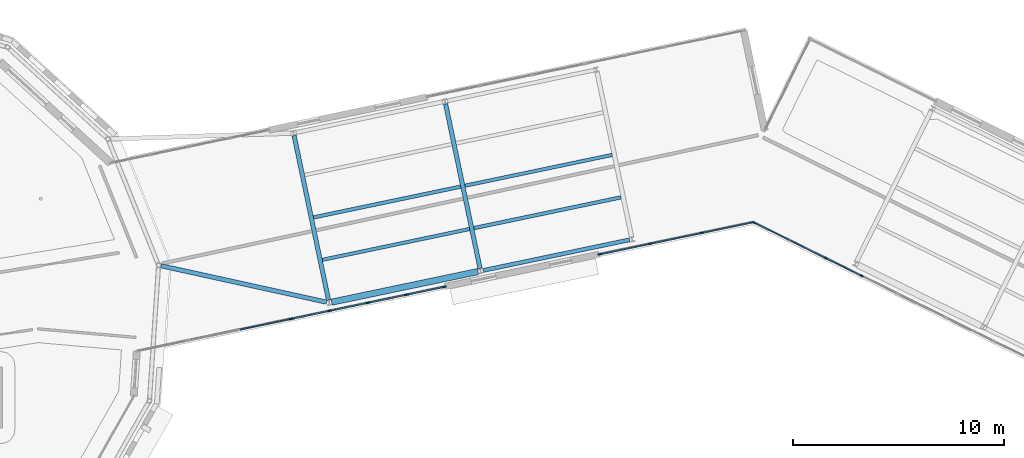
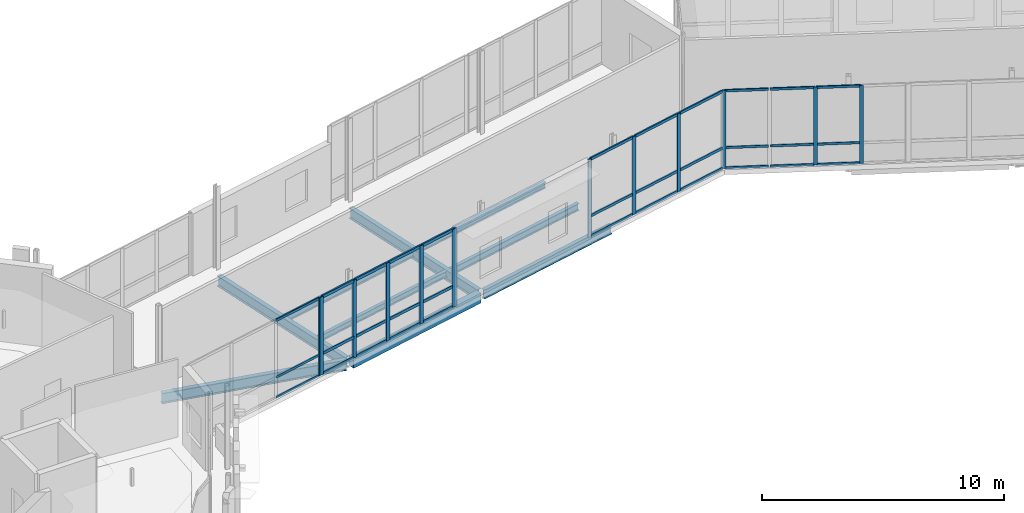
# One storey, part 51 of 125: 45 members, 9 beams, 4 elements without a shape of their own.
"""IFC4 building model written with IfcOpenShell, lengths in metres."""

from ifc_helpers import new_model, si_unit, direction, frame, origin, origin_2d, place, context, subcontext, project, spatial, rectangle, i_section, extrude, material, material_profile, profile_set, type_object, element, aggregate, save


model = new_model("IFC4")

# Units and contexts
model_context = context("Model", 3, precision=1e-05, world=origin(), true_north=direction((0.0, 1.0)))
body_context = subcontext(model_context, "Body", "Model", "MODEL_VIEW")
ifc_project = project(units=[si_unit("LENGTHUNIT", "METRE"), si_unit("AREAUNIT", "SQUARE_METRE"), si_unit("VOLUMEUNIT", "CUBIC_METRE"), si_unit("PLANEANGLEUNIT", "RADIAN"), si_unit("MASSUNIT", "GRAM", prefix="KILO")], contexts=[model_context])

# Site, building, storey
site_placement = place(None, origin())
site = spatial("IfcSite", under=ifc_project, at=site_placement, CompositionType="ELEMENT")
building_placement = place(site_placement, origin())
building = spatial("IfcBuilding", under=site, at=building_placement, Name="Wrenclough Park School", CompositionType="ELEMENT")
storey_placement = place(building_placement, frame((0.0, 0.0, 4.199951171875)))
storey = spatial("IfcBuildingStorey", under=building, at=storey_placement, Name="L01", CompositionType="ELEMENT", Elevation=4.199951171875)

# Curtain wall, members
ifc_material_1 = material(Name="Thermally broken aluminium and low-e glass curtain wall", Category="aluminium")
curtain_wall_type_1 = type_object("IfcCurtainWallType", Name="ENV-CW-03", PredefinedType="USERDEFINED", material=ifc_material_1)
curtain_wall_1_placement = place(storey_placement, origin())
curtain_wall_1 = element("IfcCurtainWall", 1, at=curtain_wall_1_placement, inside=storey, type_object=curtain_wall_type_1, Name="L01 recessed curtain wall assembly 162", ObjectType="CURTAIN WALL", PredefinedType="USERDEFINED")
ifc_material_2 = material(Name="Thermally broken anodised aluminium", Category="aluminium")
ifc_material_profile_1 = material_profile(ifc_material_2, rectangle(XDim=0.06005859375, YDim=0.159912109375, at=origin_2d()), Name="AL MULLION 60x160")
ifc_profile_set_1 = profile_set([ifc_material_profile_1], Name="Thermally broken anodised aluminium")
member_type_1 = type_object("IfcMemberType", Name="ENV-CWM-1", PredefinedType="MULLION", material=ifc_profile_set_1)
member_1_placement = place(storey_placement, frame((130.53515625, 110.25732421875, 0.0), z_axis=(0.0, 0.0, 1.0), x_axis=(-0.443514696909, -0.896267099488, 0.0)))
member_1 = element("IfcMember", 2, at=member_1_placement, type_object=member_type_1, Name="CW-03 mullion 2", PredefinedType="MULLION", context=body_context, shape_type="SweptSolid", body=[
    extrude(rectangle(XDim=0.06005859375, YDim=0.159912109375, at=origin_2d()), origin(), (0.0, 0.0, 1.0), 3.93994140625),
])
member_2_placement = place(storey_placement, frame((128.8251953125, 111.103515625, 0.0), z_axis=(0.0, 0.0, 1.0), x_axis=(-0.443514696909, -0.896267099488, 0.0)))
member_2 = element("IfcMember", 3, at=member_2_placement, type_object=member_type_1, Name="CW-03 mullion 3", PredefinedType="MULLION", context=body_context, shape_type="SweptSolid", body=[
    extrude(rectangle(XDim=0.06005859375, YDim=0.159912109375, at=origin_2d()), origin(), (0.0, 0.0, 1.0), 3.93994140625),
])
member_3_placement = place(storey_placement, frame((125.431884765625, 112.78271484375, 0.0), z_axis=(0.0, 0.0, 1.0), x_axis=(-0.443514696909, -0.896267099488, 0.0)))
member_3 = element("IfcMember", 4, at=member_3_placement, type_object=member_type_1, Name="CW-03 mullion 5", PredefinedType="MULLION", context=body_context, shape_type="SweptSolid", body=[
    extrude(rectangle(XDim=0.06005859375, YDim=0.159912109375, at=origin_2d()), origin(), (0.0, 0.0, 1.0), 3.93994140625),
])

# Curtain wall, member
curtain_wall_type_2 = type_object("IfcCurtainWallType", Name="ENV-CW-06", PredefinedType="USERDEFINED", material=ifc_material_1)
curtain_wall_2_placement = place(storey_placement, origin())
curtain_wall_2 = element("IfcCurtainWall", 5, at=curtain_wall_2_placement, inside=storey, type_object=curtain_wall_type_2, Name="L01 recessed curtain wall assembly 165", ObjectType="CURTAIN WALL", PredefinedType="USERDEFINED")
member_4_placement = place(storey_placement, frame((103.4990234375, 108.21337890625, 0.0), z_axis=(0.0, 0.0, 1.0), x_axis=(0.204873635602, -0.978788431396, 0.0)))
member_4 = element("IfcMember", 6, at=member_4_placement, type_object=member_type_1, Name="CW-06 mullion 1", PredefinedType="MULLION", context=body_context, shape_type="SweptSolid", body=[
    extrude(rectangle(XDim=0.06005859375, YDim=0.159912109375, at=origin_2d()), origin(), (0.0, 0.0, 1.0), 3.93994140625),
])

# Curtain wall, members
curtain_wall_type_3 = type_object("IfcCurtainWallType", Name="ENV-CW-04", PredefinedType="USERDEFINED", material=ifc_material_1)
curtain_wall_3_placement = place(storey_placement, origin())
curtain_wall_3 = element("IfcCurtainWall", 7, at=curtain_wall_3_placement, inside=storey, type_object=curtain_wall_type_3, Name="L01 recessed curtain wall assembly 163", ObjectType="CURTAIN WALL", PredefinedType="USERDEFINED")
ifc_material_profile_2 = material_profile(ifc_material_2, rectangle(XDim=0.06494140625, YDim=0.179931640625, at=origin_2d()), Name="AL MULLION 65x180")
ifc_profile_set_2 = profile_set([ifc_material_profile_2], Name="Thermally broken anodised aluminium")
member_type_2 = type_object("IfcMemberType", Name="ENV-CWM-2", PredefinedType="MULLION", material=ifc_profile_set_2)
member_5_placement = place(storey_placement, frame((122.97021484375, 112.288818359375, 0.0), z_axis=(0.0, 0.0, 1.0), x_axis=(0.204873635602, -0.978788431396, 0.0)))
member_5 = element("IfcMember", 8, at=member_5_placement, type_object=member_type_2, Name="CW-04 mullion 2", PredefinedType="MULLION", context=body_context, shape_type="SweptSolid", body=[
    extrude(rectangle(XDim=0.06494140625, YDim=0.179931640625, at=origin_2d()), origin(), (0.0, 0.0, 1.0), 3.93994140625),
])
member_6_placement = place(storey_placement, frame((120.54296875, 111.78076171875, 0.0), z_axis=(0.0, 0.0, 1.0), x_axis=(0.204873635602, -0.978788431396, 0.0)))
member_6 = element("IfcMember", 9, at=member_6_placement, type_object=member_type_2, Name="CW-04 mullion 3", PredefinedType="MULLION", context=body_context, shape_type="SweptSolid", body=[
    extrude(rectangle(XDim=0.06494140625, YDim=0.179931640625, at=origin_2d()), origin(), (0.0, 0.0, 1.0), 3.93994140625),
])
member_7_placement = place(storey_placement, frame((118.1474609375, 111.279296875, 0.0), z_axis=(0.0, 0.0, 1.0), x_axis=(0.204873635602, -0.978788431396, 0.0)))
member_7 = element("IfcMember", 10, at=member_7_placement, type_object=member_type_2, Name="CW-04 mullion 4", PredefinedType="MULLION", context=body_context, shape_type="SweptSolid", body=[
    extrude(rectangle(XDim=0.06494140625, YDim=0.179931640625, at=origin_2d()), origin(), (0.0, 0.0, 1.0), 3.93994140625),
])

curtain_wall_type_4 = type_object("IfcCurtainWallType", Name="ENV-CW-05", PredefinedType="USERDEFINED", material=ifc_material_1)
curtain_wall_4_placement = place(storey_placement, origin())
curtain_wall_4 = element("IfcCurtainWall", 11, at=curtain_wall_4_placement, inside=storey, type_object=curtain_wall_type_4, Name="L01 recessed curtain wall assembly 164", ObjectType="CURTAIN WALL", PredefinedType="USERDEFINED")
ifc_material_profile_3 = material_profile(ifc_material_2, rectangle(XDim=0.070068359375, YDim=0.199951171875, at=origin_2d()), Name="AL MULLION 70x200")
ifc_profile_set_3 = profile_set([ifc_material_profile_3], Name="Thermally broken anodised aluminium")
member_type_3 = type_object("IfcMemberType", Name="ENV-CWM-3", PredefinedType="MULLION", material=ifc_profile_set_3)
member_8_placement = place(storey_placement, frame((110.783935546875, 109.73828125, 0.0), z_axis=(0.0, 0.0, 1.0), x_axis=(0.204873635602, -0.978788431396, 0.0)))
member_8 = element("IfcMember", 12, at=member_8_placement, type_object=member_type_3, Name="CW-05 mullion 1", PredefinedType="MULLION", context=body_context, shape_type="SweptSolid", body=[
    extrude(rectangle(XDim=0.070068359375, YDim=0.199951171875, at=origin_2d()), origin(), (0.0, 0.0, 1.0), 3.93994140625),
])
member_9_placement = place(storey_placement, frame((108.99755859375, 109.3642578125, 0.0), z_axis=(0.0, 0.0, 1.0), x_axis=(0.204873635602, -0.978788431396, 0.0)))
member_9 = element("IfcMember", 13, at=member_9_placement, type_object=member_type_3, Name="CW-05 mullion 2", PredefinedType="MULLION", context=body_context, shape_type="SweptSolid", body=[
    extrude(rectangle(XDim=0.070068359375, YDim=0.199951171875, at=origin_2d()), origin(), (0.0, 0.0, 1.0), 3.93994140625),
])
member_10_placement = place(storey_placement, frame((107.17724609375, 108.9833984375, 0.0), z_axis=(0.0, 0.0, 1.0), x_axis=(0.204873635602, -0.978788431396, 0.0)))
member_10 = element("IfcMember", 14, at=member_10_placement, type_object=member_type_3, Name="CW-05 mullion 3", PredefinedType="MULLION", context=body_context, shape_type="SweptSolid", body=[
    extrude(rectangle(XDim=0.070068359375, YDim=0.199951171875, at=origin_2d()), origin(), (0.0, 0.0, 1.0), 3.93994140625),
])
member_11_placement = place(storey_placement, frame((105.356689453125, 108.602294921875, 0.0), z_axis=(0.0, 0.0, 1.0), x_axis=(0.204873635602, -0.978788431396, 0.0)))
member_11 = element("IfcMember", 15, at=member_11_placement, type_object=member_type_3, Name="CW-05 mullion 4", PredefinedType="MULLION", context=body_context, shape_type="SweptSolid", body=[
    extrude(rectangle(XDim=0.070068359375, YDim=0.199951171875, at=origin_2d()), origin(), (0.0, 0.0, 1.0), 3.93994140625),
])
member_12_placement = place(storey_placement, frame((103.570556640625, 108.228271484375, 0.0), z_axis=(0.0, 0.0, 1.0), x_axis=(0.204873635602, -0.978788431396, 0.0)))
member_12 = element("IfcMember", 16, at=member_12_placement, type_object=member_type_3, Name="CW-05 mullion 5", PredefinedType="MULLION", context=body_context, shape_type="SweptSolid", body=[
    extrude(rectangle(XDim=0.070068359375, YDim=0.199951171875, at=origin_2d()), origin(), (0.0, 0.0, 1.0), 3.93994140625),
])

# Member
ifc_material_profile_4 = material_profile(ifc_material_2, rectangle(XDim=0.06005859375, YDim=0.1201171875, at=origin_2d()), Name="AL TRANSOM 60x120")
ifc_profile_set_4 = profile_set([ifc_material_profile_4], Name="Thermally broken anodised aluminium")
member_type_4 = type_object("IfcMemberType", Name="ENV-CWT-1", PredefinedType="USERDEFINED", material=ifc_profile_set_4)
member_13_placement = place(storey_placement, frame((130.50830078125, 110.2705078125, 0.030029296875), z_axis=(-0.896269153284, 0.443510546517, 0.0), x_axis=(-0.443510546517, -0.896269153284, 0.0)))
member_13 = element("IfcMember", 17, at=member_13_placement, type_object=member_type_4, Name="CW-03 transom 2.1", ObjectType="TRANSOM", PredefinedType="USERDEFINED", context=body_context, shape_type="SweptSolid", body=[
    extrude(rectangle(XDim=0.06005859375, YDim=0.1201171875, at=origin_2d()), origin(), (0.0, 0.0, 1.0), 1.847900390625),
])

member_14_placement = place(storey_placement, frame((130.50830078125, 110.2705078125, 1.050048828125), z_axis=(-0.896269153284, 0.443510546517, 0.0), x_axis=(-0.443510546517, -0.896269153284, 0.0)))
member_14 = element("IfcMember", 18, at=member_14_placement, type_object=member_type_4, Name="CW-03 transom 2.2", ObjectType="TRANSOM", PredefinedType="USERDEFINED", context=body_context, shape_type="SweptSolid", body=[
    extrude(rectangle(XDim=0.06005859375, YDim=0.1201171875, at=origin_2d()), origin(), (0.0, 0.0, 1.0), 1.847900390625),
])

member_15_placement = place(storey_placement, frame((130.50830078125, 110.2705078125, 3.91015625), z_axis=(-0.896269153284, 0.443510546517, 0.0), x_axis=(-0.443510546517, -0.896269153284, 0.0)))
member_15 = element("IfcMember", 19, at=member_15_placement, type_object=member_type_4, Name="CW-03 transom 2.3", ObjectType="TRANSOM", PredefinedType="USERDEFINED", context=body_context, shape_type="SweptSolid", body=[
    extrude(rectangle(XDim=0.06005859375, YDim=0.1201171875, at=origin_2d()), origin(), (0.0, 0.0, 1.0), 1.847900390625),
])

member_16_placement = place(storey_placement, frame((128.79833984375, 111.11669921875, 0.030029296875), z_axis=(-0.896269153284, 0.443510546517, 0.0), x_axis=(-0.443510546517, -0.896269153284, 0.0)))
member_16 = element("IfcMember", 20, at=member_16_placement, type_object=member_type_4, Name="CW-03 transom 3.1", ObjectType="TRANSOM", PredefinedType="USERDEFINED", context=body_context, shape_type="SweptSolid", body=[
    extrude(rectangle(XDim=0.06005859375, YDim=0.1201171875, at=origin_2d()), origin(), (0.0, 0.0, 1.0), 1.847900390625),
])

member_17_placement = place(storey_placement, frame((128.79833984375, 111.11669921875, 1.050048828125), z_axis=(-0.896269153284, 0.443510546517, 0.0), x_axis=(-0.443510546517, -0.896269153284, 0.0)))
member_17 = element("IfcMember", 21, at=member_17_placement, type_object=member_type_4, Name="CW-03 transom 3.2", ObjectType="TRANSOM", PredefinedType="USERDEFINED", context=body_context, shape_type="SweptSolid", body=[
    extrude(rectangle(XDim=0.06005859375, YDim=0.1201171875, at=origin_2d()), origin(), (0.0, 0.0, 1.0), 1.847900390625),
])

member_18_placement = place(storey_placement, frame((128.79833984375, 111.11669921875, 3.91015625), z_axis=(-0.896269153284, 0.443510546517, 0.0), x_axis=(-0.443510546517, -0.896269153284, 0.0)))
member_18 = element("IfcMember", 22, at=member_18_placement, type_object=member_type_4, Name="CW-03 transom 3.3", ObjectType="TRANSOM", PredefinedType="USERDEFINED", context=body_context, shape_type="SweptSolid", body=[
    extrude(rectangle(XDim=0.06005859375, YDim=0.1201171875, at=origin_2d()), origin(), (0.0, 0.0, 1.0), 1.847900390625),
])

member_19_placement = place(storey_placement, frame((127.088134765625, 111.962890625, 0.030029296875), z_axis=(-0.896219640361, 0.443610590756, 0.0), x_axis=(-0.443610590756, -0.896219640361, 0.0)))
member_19 = element("IfcMember", 23, at=member_19_placement, type_object=member_type_4, Name="CW-03 transom 4.1", ObjectType="TRANSOM", PredefinedType="USERDEFINED", context=body_context, shape_type="SweptSolid", body=[
    extrude(rectangle(XDim=0.06005859375, YDim=0.1201171875, at=origin_2d()), origin(), (0.0, 0.0, 1.0), 1.81787109375),
])

member_20_placement = place(storey_placement, frame((127.088134765625, 111.962890625, 1.050048828125), z_axis=(-0.896219640361, 0.443610590756, 0.0), x_axis=(-0.443610590756, -0.896219640361, 0.0)))
member_20 = element("IfcMember", 24, at=member_20_placement, type_object=member_type_4, Name="CW-03 transom 4.2", ObjectType="TRANSOM", PredefinedType="USERDEFINED", context=body_context, shape_type="SweptSolid", body=[
    extrude(rectangle(XDim=0.06005859375, YDim=0.1201171875, at=origin_2d()), origin(), (0.0, 0.0, 1.0), 1.81787109375),
])

member_21_placement = place(storey_placement, frame((127.088134765625, 111.962890625, 3.91015625), z_axis=(-0.896219640361, 0.443610590756, 0.0), x_axis=(-0.443610590756, -0.896219640361, 0.0)))
member_21 = element("IfcMember", 25, at=member_21_placement, type_object=member_type_4, Name="CW-03 transom 4.3", ObjectType="TRANSOM", PredefinedType="USERDEFINED", context=body_context, shape_type="SweptSolid", body=[
    extrude(rectangle(XDim=0.06005859375, YDim=0.1201171875, at=origin_2d()), origin(), (0.0, 0.0, 1.0), 1.81787109375),
])

aggregate(curtain_wall_1, [member_1, member_2, member_3, member_13, member_14, member_15, member_16, member_17, member_18, member_19, member_20, member_21])

member_22_placement = place(storey_placement, frame((103.4697265625, 108.207275390625, 0.030029296875), z_axis=(-0.978801579841, -0.204810808556, 0.0), x_axis=(0.204810808556, -0.978801579841, 0.0)))
member_22 = element("IfcMember", 26, at=member_22_placement, type_object=member_type_4, Name="CW-06 transom 1.1", ObjectType="TRANSOM", PredefinedType="USERDEFINED", context=body_context, shape_type="SweptSolid", body=[
    extrude(rectangle(XDim=0.06005859375, YDim=0.1201171875, at=origin_2d()), origin(), (0.0, 0.0, 1.0), 2.39013671875),
])

member_23_placement = place(storey_placement, frame((103.4697265625, 108.207275390625, 1.050048828125), z_axis=(-0.978801579841, -0.204810808556, 0.0), x_axis=(0.204810808556, -0.978801579841, 0.0)))
member_23 = element("IfcMember", 27, at=member_23_placement, type_object=member_type_4, Name="CW-06 transom 1.2", ObjectType="TRANSOM", PredefinedType="USERDEFINED", context=body_context, shape_type="SweptSolid", body=[
    extrude(rectangle(XDim=0.06005859375, YDim=0.1201171875, at=origin_2d()), origin(), (0.0, 0.0, 1.0), 2.39013671875),
])

member_24_placement = place(storey_placement, frame((103.4697265625, 108.207275390625, 3.91015625), z_axis=(-0.978801579841, -0.204810808556, 0.0), x_axis=(0.204810808556, -0.978801579841, 0.0)))
member_24 = element("IfcMember", 28, at=member_24_placement, type_object=member_type_4, Name="CW-06 transom 1.3", ObjectType="TRANSOM", PredefinedType="USERDEFINED", context=body_context, shape_type="SweptSolid", body=[
    extrude(rectangle(XDim=0.06005859375, YDim=0.1201171875, at=origin_2d()), origin(), (0.0, 0.0, 1.0), 2.39013671875),
])

aggregate(curtain_wall_2, [member_4, member_22, member_23, member_24])

ifc_material_profile_5 = material_profile(ifc_material_2, rectangle(XDim=0.06494140625, YDim=0.139892578125, at=origin_2d()), Name="AL TRANSOM 65x140")
ifc_profile_set_5 = profile_set([ifc_material_profile_5], Name="Thermally broken anodised aluminium")
member_type_5 = type_object("IfcMemberType", Name="ENV-CWT-2", PredefinedType="USERDEFINED", material=ifc_profile_set_5)
member_25_placement = place(storey_placement, frame((125.333984375, 112.78369140625, 0.032470703125), z_axis=(-0.978771027759, -0.204956764267, 0.0), x_axis=(0.204956764267, -0.978771027759, 0.0)))
member_25 = element("IfcMember", 29, at=member_25_placement, type_object=member_type_5, Name="CW-04 transom 1.1", ObjectType="TRANSOM", PredefinedType="USERDEFINED", context=body_context, shape_type="SweptSolid", body=[
    extrude(rectangle(XDim=0.06494140625, YDim=0.139892578125, at=origin_2d()), origin(), (0.0, 0.0, 1.0), 2.38232421875),
])

member_26_placement = place(storey_placement, frame((125.333984375, 112.78369140625, 1.050048828125), z_axis=(-0.978771027759, -0.204956764267, 0.0), x_axis=(0.204956764267, -0.978771027759, 0.0)))
member_26 = element("IfcMember", 30, at=member_26_placement, type_object=member_type_5, Name="CW-04 transom 1.2", ObjectType="TRANSOM", PredefinedType="USERDEFINED", context=body_context, shape_type="SweptSolid", body=[
    extrude(rectangle(XDim=0.06494140625, YDim=0.139892578125, at=origin_2d()), origin(), (0.0, 0.0, 1.0), 2.38232421875),
])

member_27_placement = place(storey_placement, frame((125.333984375, 112.78369140625, 3.907470703125), z_axis=(-0.978771027759, -0.204956764267, 0.0), x_axis=(0.204956764267, -0.978771027759, 0.0)))
member_27 = element("IfcMember", 31, at=member_27_placement, type_object=member_type_5, Name="CW-04 transom 1.3", ObjectType="TRANSOM", PredefinedType="USERDEFINED", context=body_context, shape_type="SweptSolid", body=[
    extrude(rectangle(XDim=0.06494140625, YDim=0.139892578125, at=origin_2d()), origin(), (0.0, 0.0, 1.0), 2.38232421875),
])

member_28_placement = place(storey_placement, frame((122.9384765625, 112.2822265625, 0.032470703125), z_axis=(-0.978779781294, -0.204914957311, 0.0), x_axis=(0.204914957311, -0.978779781294, 0.0)))
member_28 = element("IfcMember", 32, at=member_28_placement, type_object=member_type_5, Name="CW-04 transom 2.1", ObjectType="TRANSOM", PredefinedType="USERDEFINED", context=body_context, shape_type="SweptSolid", body=[
    extrude(rectangle(XDim=0.06494140625, YDim=0.139892578125, at=origin_2d()), origin(), (0.0, 0.0, 1.0), 2.4150390625),
])

member_29_placement = place(storey_placement, frame((122.9384765625, 112.2822265625, 1.050048828125), z_axis=(-0.978779781294, -0.204914957311, 0.0), x_axis=(0.204914957311, -0.978779781294, 0.0)))
member_29 = element("IfcMember", 33, at=member_29_placement, type_object=member_type_5, Name="CW-04 transom 2.2", ObjectType="TRANSOM", PredefinedType="USERDEFINED", context=body_context, shape_type="SweptSolid", body=[
    extrude(rectangle(XDim=0.06494140625, YDim=0.139892578125, at=origin_2d()), origin(), (0.0, 0.0, 1.0), 2.4150390625),
])

member_30_placement = place(storey_placement, frame((122.9384765625, 112.2822265625, 3.907470703125), z_axis=(-0.978779781294, -0.204914957311, 0.0), x_axis=(0.204914957311, -0.978779781294, 0.0)))
member_30 = element("IfcMember", 34, at=member_30_placement, type_object=member_type_5, Name="CW-04 transom 2.3", ObjectType="TRANSOM", PredefinedType="USERDEFINED", context=body_context, shape_type="SweptSolid", body=[
    extrude(rectangle(XDim=0.06494140625, YDim=0.139892578125, at=origin_2d()), origin(), (0.0, 0.0, 1.0), 2.4150390625),
])

member_31_placement = place(storey_placement, frame((120.51123046875, 111.774169921875, 0.032470703125), z_axis=(-0.978795881177, -0.204838040879, 0.0), x_axis=(0.204838040879, -0.978795881177, 0.0)))
member_31 = element("IfcMember", 35, at=member_31_placement, type_object=member_type_5, Name="CW-04 transom 3.1", ObjectType="TRANSOM", PredefinedType="USERDEFINED", context=body_context, shape_type="SweptSolid", body=[
    extrude(rectangle(XDim=0.06494140625, YDim=0.139892578125, at=origin_2d()), origin(), (0.0, 0.0, 1.0), 2.382568359375),
])

member_32_placement = place(storey_placement, frame((120.51123046875, 111.774169921875, 1.050048828125), z_axis=(-0.978795881177, -0.204838040879, 0.0), x_axis=(0.204838040879, -0.978795881177, 0.0)))
member_32 = element("IfcMember", 36, at=member_32_placement, type_object=member_type_5, Name="CW-04 transom 3.2", ObjectType="TRANSOM", PredefinedType="USERDEFINED", context=body_context, shape_type="SweptSolid", body=[
    extrude(rectangle(XDim=0.06494140625, YDim=0.139892578125, at=origin_2d()), origin(), (0.0, 0.0, 1.0), 2.382568359375),
])

member_33_placement = place(storey_placement, frame((120.51123046875, 111.774169921875, 3.907470703125), z_axis=(-0.978795881177, -0.204838040879, 0.0), x_axis=(0.204838040879, -0.978795881177, 0.0)))
member_33 = element("IfcMember", 37, at=member_33_placement, type_object=member_type_5, Name="CW-04 transom 3.3", ObjectType="TRANSOM", PredefinedType="USERDEFINED", context=body_context, shape_type="SweptSolid", body=[
    extrude(rectangle(XDim=0.06494140625, YDim=0.139892578125, at=origin_2d()), origin(), (0.0, 0.0, 1.0), 2.382568359375),
])

aggregate(curtain_wall_3, [member_5, member_6, member_7, member_25, member_26, member_27, member_28, member_29, member_30, member_31, member_32, member_33])

ifc_material_profile_6 = material_profile(ifc_material_2, rectangle(XDim=0.070068359375, YDim=0.14990234375, at=origin_2d()), Name="AL TRANSOM 70x150")
ifc_profile_set_6 = profile_set([ifc_material_profile_6], Name="Thermally broken anodised aluminium")
member_type_6 = type_object("IfcMemberType", Name="ENV-CWT-3", PredefinedType="USERDEFINED", material=ifc_profile_set_6)
member_34_placement = place(storey_placement, frame((110.74951171875, 109.73095703125, 0.03515625), z_axis=(-0.978802950838, -0.20480425638, 0.0), x_axis=(0.20480425638, -0.978802950838, 0.0)))
member_34 = element("IfcMember", 38, at=member_34_placement, type_object=member_type_6, Name="CW-05 transom 1.1", ObjectType="TRANSOM", PredefinedType="USERDEFINED", context=body_context, shape_type="SweptSolid", body=[
    extrude(rectangle(XDim=0.070068359375, YDim=0.14990234375, at=origin_2d()), origin(), (0.0, 0.0, 1.0), 1.754638671875),
])

member_35_placement = place(storey_placement, frame((110.74951171875, 109.73095703125, 1.050048828125), z_axis=(-0.978802950838, -0.20480425638, 0.0), x_axis=(0.20480425638, -0.978802950838, 0.0)))
member_35 = element("IfcMember", 39, at=member_35_placement, type_object=member_type_6, Name="CW-05 transom 1.2", ObjectType="TRANSOM", PredefinedType="USERDEFINED", context=body_context, shape_type="SweptSolid", body=[
    extrude(rectangle(XDim=0.070068359375, YDim=0.14990234375, at=origin_2d()), origin(), (0.0, 0.0, 1.0), 1.754638671875),
])

member_36_placement = place(storey_placement, frame((110.74951171875, 109.73095703125, 3.905029296875), z_axis=(-0.978802950838, -0.20480425638, 0.0), x_axis=(0.20480425638, -0.978802950838, 0.0)))
member_36 = element("IfcMember", 40, at=member_36_placement, type_object=member_type_6, Name="CW-05 transom 1.3", ObjectType="TRANSOM", PredefinedType="USERDEFINED", context=body_context, shape_type="SweptSolid", body=[
    extrude(rectangle(XDim=0.070068359375, YDim=0.14990234375, at=origin_2d()), origin(), (0.0, 0.0, 1.0), 1.754638671875),
])

member_37_placement = place(storey_placement, frame((108.96337890625, 109.357177734375, 0.03515625), z_axis=(-0.978789353132, -0.20486923194, 0.0), x_axis=(0.20486923194, -0.978789353132, 0.0)))
member_37 = element("IfcMember", 41, at=member_37_placement, type_object=member_type_6, Name="CW-05 transom 2.1", ObjectType="TRANSOM", PredefinedType="USERDEFINED", context=body_context, shape_type="SweptSolid", body=[
    extrude(rectangle(XDim=0.070068359375, YDim=0.14990234375, at=origin_2d()), origin(), (0.0, 0.0, 1.0), 1.7900390625),
])

member_38_placement = place(storey_placement, frame((108.96337890625, 109.357177734375, 1.050048828125), z_axis=(-0.978789353132, -0.20486923194, 0.0), x_axis=(0.20486923194, -0.978789353132, 0.0)))
member_38 = element("IfcMember", 42, at=member_38_placement, type_object=member_type_6, Name="CW-05 transom 2.2", ObjectType="TRANSOM", PredefinedType="USERDEFINED", context=body_context, shape_type="SweptSolid", body=[
    extrude(rectangle(XDim=0.070068359375, YDim=0.14990234375, at=origin_2d()), origin(), (0.0, 0.0, 1.0), 1.7900390625),
])

member_39_placement = place(storey_placement, frame((108.96337890625, 109.357177734375, 3.905029296875), z_axis=(-0.978789353132, -0.20486923194, 0.0), x_axis=(0.20486923194, -0.978789353132, 0.0)))
member_39 = element("IfcMember", 43, at=member_39_placement, type_object=member_type_6, Name="CW-05 transom 2.3", ObjectType="TRANSOM", PredefinedType="USERDEFINED", context=body_context, shape_type="SweptSolid", body=[
    extrude(rectangle(XDim=0.070068359375, YDim=0.14990234375, at=origin_2d()), origin(), (0.0, 0.0, 1.0), 1.7900390625),
])

member_40_placement = place(storey_placement, frame((107.142822265625, 108.97607421875, 0.03515625), z_axis=(-0.978789353132, -0.20486923194, 0.0), x_axis=(0.20486923194, -0.978789353132, 0.0)))
member_40 = element("IfcMember", 44, at=member_40_placement, type_object=member_type_6, Name="CW-05 transom 3.1", ObjectType="TRANSOM", PredefinedType="USERDEFINED", context=body_context, shape_type="SweptSolid", body=[
    extrude(rectangle(XDim=0.070068359375, YDim=0.14990234375, at=origin_2d()), origin(), (0.0, 0.0, 1.0), 1.7900390625),
])

member_41_placement = place(storey_placement, frame((107.142822265625, 108.97607421875, 1.050048828125), z_axis=(-0.978789353132, -0.20486923194, 0.0), x_axis=(0.20486923194, -0.978789353132, 0.0)))
member_41 = element("IfcMember", 45, at=member_41_placement, type_object=member_type_6, Name="CW-05 transom 3.2", ObjectType="TRANSOM", PredefinedType="USERDEFINED", context=body_context, shape_type="SweptSolid", body=[
    extrude(rectangle(XDim=0.070068359375, YDim=0.14990234375, at=origin_2d()), origin(), (0.0, 0.0, 1.0), 1.7900390625),
])

member_42_placement = place(storey_placement, frame((107.142822265625, 108.97607421875, 3.905029296875), z_axis=(-0.978789353132, -0.20486923194, 0.0), x_axis=(0.20486923194, -0.978789353132, 0.0)))
member_42 = element("IfcMember", 46, at=member_42_placement, type_object=member_type_6, Name="CW-05 transom 3.3", ObjectType="TRANSOM", PredefinedType="USERDEFINED", context=body_context, shape_type="SweptSolid", body=[
    extrude(rectangle(XDim=0.070068359375, YDim=0.14990234375, at=origin_2d()), origin(), (0.0, 0.0, 1.0), 1.7900390625),
])

member_43_placement = place(storey_placement, frame((105.322509765625, 108.594970703125, 0.03515625), z_axis=(-0.978808785563, -0.204776369009, 0.0), x_axis=(0.204776369009, -0.978808785563, 0.0)))
member_43 = element("IfcMember", 47, at=member_43_placement, type_object=member_type_6, Name="CW-05 transom 4.1", ObjectType="TRANSOM", PredefinedType="USERDEFINED", context=body_context, shape_type="SweptSolid", body=[
    extrude(rectangle(XDim=0.070068359375, YDim=0.14990234375, at=origin_2d()), origin(), (0.0, 0.0, 1.0), 1.7548828125),
])

member_44_placement = place(storey_placement, frame((105.322509765625, 108.594970703125, 1.050048828125), z_axis=(-0.978808785563, -0.204776369009, 0.0), x_axis=(0.204776369009, -0.978808785563, 0.0)))
member_44 = element("IfcMember", 48, at=member_44_placement, type_object=member_type_6, Name="CW-05 transom 4.2", ObjectType="TRANSOM", PredefinedType="USERDEFINED", context=body_context, shape_type="SweptSolid", body=[
    extrude(rectangle(XDim=0.070068359375, YDim=0.14990234375, at=origin_2d()), origin(), (0.0, 0.0, 1.0), 1.7548828125),
])

member_45_placement = place(storey_placement, frame((105.322509765625, 108.594970703125, 3.905029296875), z_axis=(-0.978808785563, -0.204776369009, 0.0), x_axis=(0.204776369009, -0.978808785563, 0.0)))
member_45 = element("IfcMember", 49, at=member_45_placement, type_object=member_type_6, Name="CW-05 transom 4.3", ObjectType="TRANSOM", PredefinedType="USERDEFINED", context=body_context, shape_type="SweptSolid", body=[
    extrude(rectangle(XDim=0.070068359375, YDim=0.14990234375, at=origin_2d()), origin(), (0.0, 0.0, 1.0), 1.7548828125),
])

aggregate(curtain_wall_4, [member_8, member_9, member_10, member_11, member_12, member_34, member_35, member_36, member_37, member_38, member_39, member_40, member_41, member_42, member_43, member_44, member_45])

# Beams
ifc_material_3 = material(Name="Concrete C32/40", Category="concrete")
ifc_material_profile_7 = material_profile(ifc_material_3, rectangle(XDim=0.300048828125, YDim=0.5, at=origin_2d()), Name="RC BEAM 300x500")
ifc_profile_set_7 = profile_set([ifc_material_profile_7], Name="Concrete C32/40")
beam_type_1 = type_object("IfcBeamType", Name="STR-BM-RC300", PredefinedType="BEAM", material=ifc_profile_set_7)
beam_1_placement = place(storey_placement, frame((105.45947265625, 109.011962890625, -0.5), z_axis=(0.978790303538, 0.204864691197, 0.0), x_axis=(-0.204864691197, 0.978790303538, 0.0)))
element("IfcBeam", 50, at=beam_1_placement, inside=storey, type_object=beam_type_1, Name="W45 L01 longitudinal edge beam R1", PredefinedType="BEAM", context=body_context, shape_type="SweptSolid", body=[
    extrude(rectangle(XDim=0.300048828125, YDim=0.5, at=origin_2d()), origin(), (0.0, 0.0, 1.0), 7.07763671875),
])
ifc_material_4 = material(Name="Structural steel S355", Category="steel")
ifc_material_profile_8 = material_profile(ifc_material_4, i_section(OverallWidth=0.1650390625, OverallDepth=0.303466796875, WebThickness=0.006103515625, FlangeThickness=0.01025390625, FilletRadius=0.0087890625, at=origin_2d()), Name="UKB 305x165x40")
ifc_profile_set_8 = profile_set([ifc_material_profile_8], Name="Structural steel S355")
beam_type_2 = type_object("IfcBeamType", Name="STR-BM-UKB305", PredefinedType="JOIST", material=ifc_profile_set_8)
beam_2_placement = place(storey_placement, frame((105.0224609375, 111.014892578125, -0.401611328125), z_axis=(0.978785502832, 0.204887626386, 0.0), x_axis=(-0.204887626386, 0.978785502832, 0.0)))
element("IfcBeam", 51, at=beam_2_placement, inside=storey, type_object=beam_type_2, Name="W45 L01 secondary floor joist 0081", PredefinedType="JOIST", context=body_context, shape_type="SweptSolid", body=[
    extrude(i_section(OverallWidth=0.1650390625, OverallDepth=0.303466796875, WebThickness=0.006103515625, FlangeThickness=0.01025390625, FilletRadius=0.0087890625, at=origin_2d()), origin(), (0.0, 0.0, 1.0), 7.112548828125),
])
beam_3_placement = place(storey_placement, frame((111.76904296875, 114.521484375, -0.401611328125), z_axis=(0.97879382637, 0.204847859299, 0.0), x_axis=(-0.204847859299, 0.97879382637, 0.0)))
element("IfcBeam", 52, at=beam_3_placement, inside=storey, type_object=beam_type_2, Name="W45 L01 secondary floor joist 0083", PredefinedType="JOIST", context=body_context, shape_type="SweptSolid", body=[
    extrude(i_section(OverallWidth=0.1650390625, OverallDepth=0.303466796875, WebThickness=0.006103515625, FlangeThickness=0.01025390625, FilletRadius=0.0087890625, at=origin_2d()), origin(), (0.0, 0.0, 1.0), 7.11279296875),
])
ifc_material_profile_9 = material_profile(ifc_material_4, i_section(OverallWidth=0.17138671875, OverallDepth=0.35498046875, WebThickness=0.00732421875, FlangeThickness=0.011474609375, FilletRadius=0.01025390625, at=origin_2d()), Name="UKB 356x171x51")
ifc_profile_set_9 = profile_set([ifc_material_profile_9], Name="Structural steel S355")
beam_type_3 = type_object("IfcBeamType", Name="STR-BM-UKB356", PredefinedType="JOIST", material=ifc_profile_set_9)
beam_4_placement = place(storey_placement, frame((104.602294921875, 113.021484375, -0.427490234375), z_axis=(0.97879382637, 0.204847859299, 0.0), x_axis=(-0.204847859299, 0.97879382637, 0.0)))
element("IfcBeam", 53, at=beam_4_placement, inside=storey, type_object=beam_type_3, Name="W45 L01 secondary floor joist 0080", PredefinedType="JOIST", context=body_context, shape_type="SweptSolid", body=[
    extrude(i_section(OverallWidth=0.17138671875, OverallDepth=0.35498046875, WebThickness=0.00732421875, FlangeThickness=0.011474609375, FilletRadius=0.01025390625, at=origin_2d()), origin(), (0.0, 0.0, 1.0), 7.11279296875),
])
beam_5_placement = place(storey_placement, frame((112.189208984375, 112.514892578125, -0.427490234375), z_axis=(0.978785502832, 0.204887626386, 0.0), x_axis=(-0.204887626386, 0.978785502832, 0.0)))
element("IfcBeam", 54, at=beam_5_placement, inside=storey, type_object=beam_type_3, Name="W45 L01 secondary floor joist 0084", PredefinedType="JOIST", context=body_context, shape_type="SweptSolid", body=[
    extrude(i_section(OverallWidth=0.17138671875, OverallDepth=0.35498046875, WebThickness=0.00732421875, FlangeThickness=0.011474609375, FilletRadius=0.01025390625, at=origin_2d()), origin(), (0.0, 0.0, 1.0), 7.112548828125),
])
ifc_material_profile_10 = material_profile(ifc_material_4, i_section(OverallWidth=0.18994140625, OverallDepth=0.453369140625, WebThickness=0.008544921875, FlangeThickness=0.0126953125, FilletRadius=0.01025390625, at=origin_2d()), Name="UKB 457x191x67")
ifc_profile_set_10 = profile_set([ifc_material_profile_10], Name="Structural steel S355")
beam_type_4 = type_object("IfcBeamType", Name="STR-BM-UKB457A", PredefinedType="BEAM", material=ifc_profile_set_10)
beam_6_placement = place(storey_placement, frame((112.626220703125, 110.511962890625, -0.4765625), z_axis=(0.978790303538, 0.204864691197, 0.0), x_axis=(-0.204864691197, 0.978790303538, 0.0)))
element("IfcBeam", 55, at=beam_6_placement, inside=storey, type_object=beam_type_4, Name="W45 L01 longitudinal edge beam R2", PredefinedType="BEAM", context=body_context, shape_type="SweptSolid", body=[
    extrude(i_section(OverallWidth=0.18994140625, OverallDepth=0.453369140625, WebThickness=0.008544921875, FlangeThickness=0.0126953125, FilletRadius=0.01025390625, at=origin_2d()), origin(), (0.0, 0.0, 1.0), 7.07763671875),
])
ifc_material_profile_11 = material_profile(ifc_material_4, i_section(OverallWidth=0.209228515625, OverallDepth=0.533203125, WebThickness=0.010009765625, FlangeThickness=0.015625, FilletRadius=0.0126953125, at=origin_2d()), Name="UKB 533x210x92")
ifc_profile_set_11 = profile_set([ifc_material_profile_11], Name="Structural steel S355")
beam_type_5 = type_object("IfcBeamType", Name="STR-BM-UKB533A", PredefinedType="BEAM", material=ifc_profile_set_11)
for number, where, z_axis, x_axis, name in (
    (56, (103.68505859375, 116.893310546875, -0.516357421875), (0.204878196364, -0.978787476756, 0.0), (0.978787476756, 0.204878196364, 0.0), "W45 L01 transverse floor beam 1"),
    (57, (110.851806640625, 118.393310546875, -0.516357421875), (0.204878196364, -0.978787476756, 0.0), (0.978787476756, 0.204878196364, 0.0), "W45 L01 transverse floor beam 2"),
):
    element("IfcBeam", number, at=place(storey_placement, frame(where, z_axis=z_axis, x_axis=x_axis)), inside=storey, type_object=beam_type_5, Name=name, PredefinedType="BEAM", context=body_context, shape_type="SweptSolid", body=[
        extrude(i_section(OverallWidth=0.209228515625, OverallDepth=0.533203125, WebThickness=0.010009765625, FlangeThickness=0.015625, FilletRadius=0.0126953125, at=origin_2d()), origin(), (0.0, 0.0, 1.0), 7.955322265625),
    ])
beam_7_placement = place(storey_placement, frame((105.220458984375, 109.01318359375, -0.516357421875), z_axis=(-0.976681000628, 0.214695652058, 0.0), x_axis=(-0.214695652058, -0.976681000628, 0.0)))
element("IfcBeam", 58, at=beam_7_placement, inside=storey, type_object=beam_type_5, Name="W45 L01 drum junction tie beam 45", PredefinedType="BEAM", context=body_context, shape_type="SweptSolid", body=[
    extrude(i_section(OverallWidth=0.209228515625, OverallDepth=0.533203125, WebThickness=0.010009765625, FlangeThickness=0.015625, FilletRadius=0.0126953125, at=origin_2d()), origin(), (0.0, 0.0, 1.0), 8.01806640625),
])

save(model, "model.ifc")
